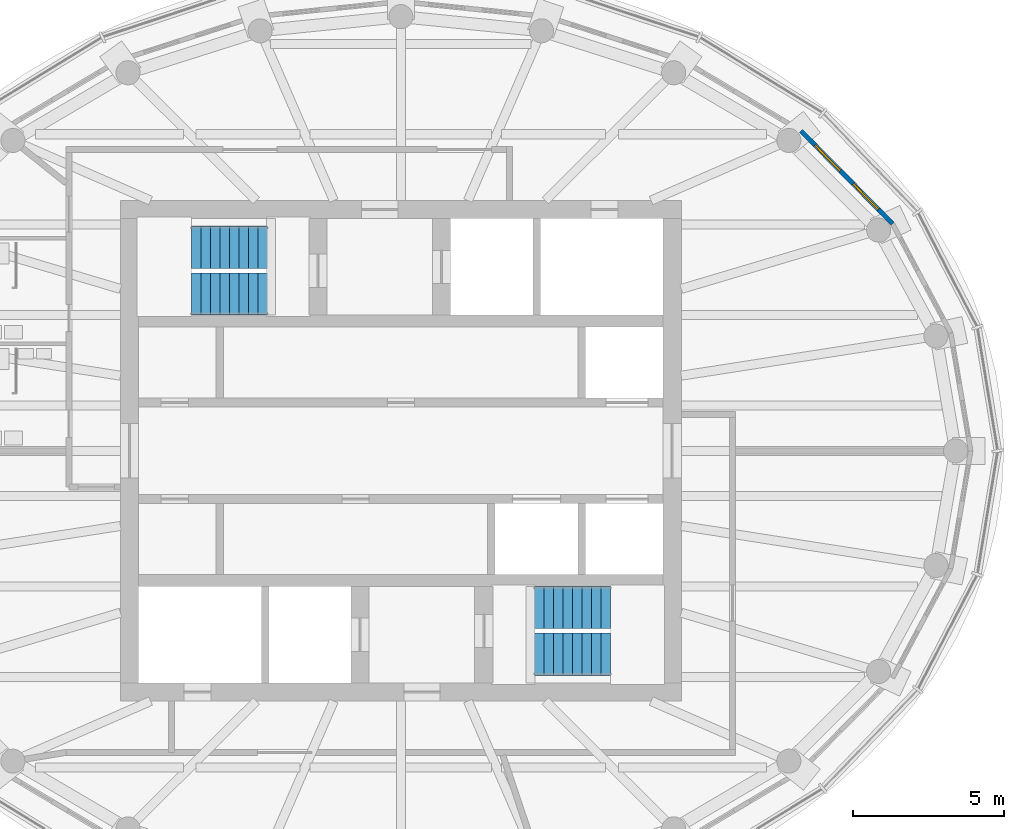
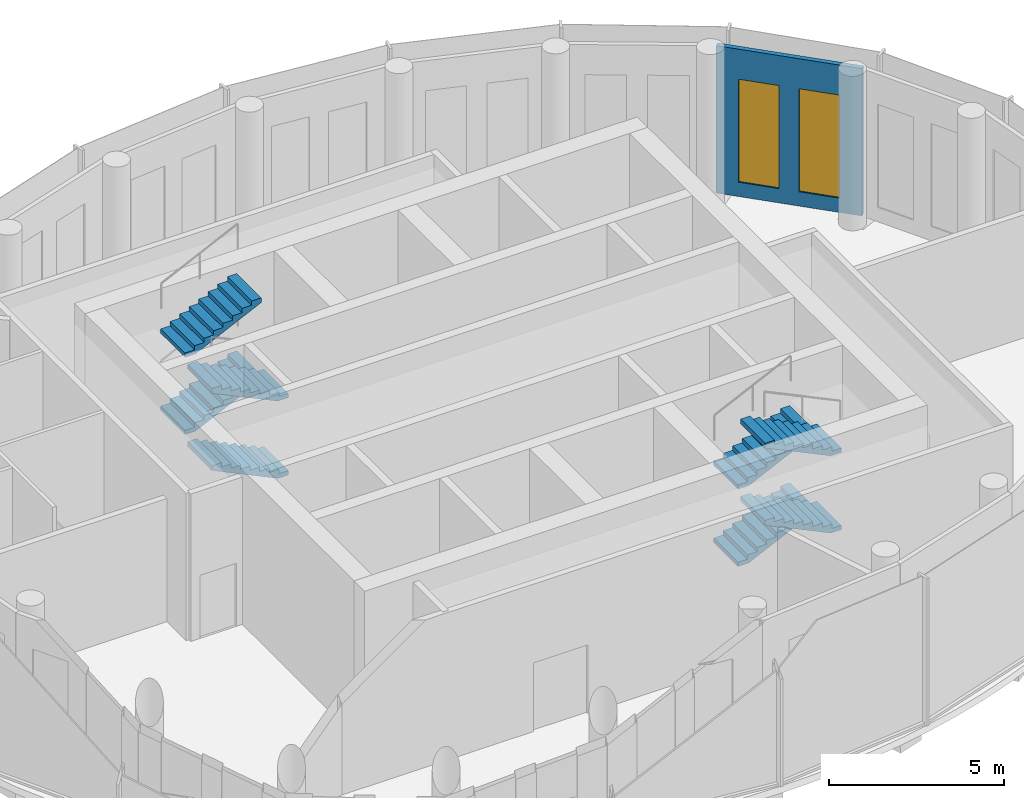
# One storey, part 8 of 11: 8 stair flights, 2 windows, 1 wall, 2 openings, 2 elements without a shape of their own.
"""IFC4 building model written with IfcOpenShell, lengths in metres."""

from ifc_helpers import new_model, si_unit, direction, frame, frame_2d, origin, place, context, subcontext, project, spatial, polyline, rectangle, outline, extrude, material, layer, layer_set, type_object, element, fill, aggregate, save


model = new_model("IFC4")

# Units and contexts
model_context = context("Model", 3, precision=1e-05, world=origin(), true_north=direction((0.0, 1.0)))
body_context = subcontext(model_context, "Body", "Model", "MODEL_VIEW")
ifc_project = project(units=[si_unit("LENGTHUNIT", "METRE"), si_unit("AREAUNIT", "SQUARE_METRE"), si_unit("VOLUMEUNIT", "CUBIC_METRE"), si_unit("PLANEANGLEUNIT", "RADIAN"), si_unit("MASSUNIT", "GRAM", prefix="KILO")], contexts=[model_context])

# Site, building, storey
site_placement = place(None, origin())
site = spatial("IfcSite", under=ifc_project, at=site_placement, CompositionType="ELEMENT")
building_placement = place(site_placement, origin())
building = spatial("IfcBuilding", under=site, at=building_placement, Name="Hankou Lantern Tower", CompositionType="ELEMENT")
storey_placement = place(building_placement, frame((0.0, 0.0, 237.300048828125)))
storey = spatial("IfcBuildingStorey", under=building, at=storey_placement, Name="L64", CompositionType="ELEMENT", Elevation=237.300048828125)

# Wall, openings, windows
ifc_material_1 = material(Name="Aluminium spandrel panel on steel studs", Category="steel")
ifc_layer = layer(ifc_material_1, 0.14990234375)
ifc_layer_set = layer_set([ifc_layer], Name="Aluminium spandrel panel on steel studs")
wall_type = type_object("IfcWallType", Name="EW1 INNER SKIN WALL 150", PredefinedType="ELEMENTEDWALL", material=ifc_layer_set)
wall_placement = place(storey_placement, frame((16.307373046875, 7.531982421875, 0.0), z_axis=(0.0, 0.0, 1.0), x_axis=(-0.702523956258, 0.711660095048, 0.0)))
wall = element("IfcWall", 1, at=wall_placement, inside=storey, type_object=wall_type, Name="Inner skin R03-R04 L64", PredefinedType="ELEMENTEDWALL", context=body_context, shape_type="SweptSolid", body=[
    extrude(rectangle(XDim=4.3291015625, YDim=0.14990234375, at=frame_2d((2.16455078125, 0.0))), origin(), (0.0, 0.0, 1.0), 5.14990234375),
])
opening_1_placement = place(wall_placement, frame((0.66455078125, 0.0, 0.5)))
opening_1 = element("IfcOpeningElement", 2, at=opening_1_placement, cuts=wall, Name="Opening W7", PredefinedType="OPENING", context=body_context, shape_type="SweptSolid", body=[
    extrude(rectangle(XDim=1.199951171875, YDim=3.60009765625, at=frame_2d((0.60009765625, 1.800048828125))), frame((0.0, 0.0849609375, 0.0), z_axis=(0.0, -1.0, 0.0), x_axis=(1.0, 0.0, 0.0)), (0.0, 0.0, 1.0), 0.169921875),
])
opening_2_placement = place(wall_placement, frame((2.464599609375, 0.0, 0.5)))
opening_2 = element("IfcOpeningElement", 3, at=opening_2_placement, cuts=wall, Name="Opening W7", PredefinedType="OPENING", context=body_context, shape_type="SweptSolid", body=[
    extrude(rectangle(XDim=1.199951171875, YDim=3.60009765625, at=frame_2d((0.60009765625, 1.800048828125))), frame((0.0, 0.0849609375, 0.0), z_axis=(0.0, -1.0, 0.0), x_axis=(1.0, 0.0, 0.0)), (0.0, 0.0, 1.0), 0.169921875),
])
ifc_material_2 = material(Name="Aluminium framed double glazed window", Category="aluminium")
window_type = type_object("IfcWindowType", Name="W7 RESTAURANT WINDOW 1200X3600", PartitioningType="DOUBLE_PANEL_VERTICAL", PredefinedType="WINDOW", material=ifc_material_2)
window_1_placement = place(opening_1_placement, origin())
window_1 = element("IfcWindow", 4, at=window_1_placement, inside=storey, type_object=window_type, Name="Window R03.1 L64", OverallHeight=3.60009765625, OverallWidth=1.199951171875, PartitioningType="SINGLE_PANEL", PredefinedType="WINDOW", context=body_context, shape_type="SweptSolid", body=[
    extrude(rectangle(XDim=1.199951171875, YDim=3.60009765625, at=frame_2d((0.60009765625, 1.800048828125))), frame((0.0, 0.030029296875, 0.0), z_axis=(0.0, -1.0, 0.0), x_axis=(1.0, 0.0, 0.0)), (0.0, 0.0, 1.0), 0.06005859375),
])
fill(opening_1, window_1)
window_2_placement = place(opening_2_placement, origin())
window_2 = element("IfcWindow", 5, at=window_2_placement, inside=storey, type_object=window_type, Name="Window R03.2 L64", OverallHeight=3.60009765625, OverallWidth=1.199951171875, PartitioningType="SINGLE_PANEL", PredefinedType="WINDOW", context=body_context, shape_type="SweptSolid", body=[
    extrude(rectangle(XDim=1.199951171875, YDim=3.60009765625, at=frame_2d((0.60009765625, 1.800048828125))), frame((0.0, 0.030029296875, 0.0), z_axis=(0.0, -1.0, 0.0), x_axis=(1.0, 0.0, 0.0)), (0.0, 0.0, 1.0), 0.06005859375),
])
fill(opening_2, window_2)

# Stair, stair flights
ifc_material_3 = material(Name="Concrete C40", Category="concrete")
stair_type = type_object("IfcStairType", Name="ST54 CORE STAIR 5400 RISE", PredefinedType="HALF_TURN_STAIR", material=ifc_material_3)
stair_1_placement = place(storey_placement, origin())
stair_1 = element("IfcStair", 6, at=stair_1_placement, inside=storey, type_object=stair_type, Name="Stair STA L64", PredefinedType="HALF_TURN_STAIR")
ifc_material_4 = material(Name="Concrete C40", Category="concrete")
stair_flight_type = type_object("IfcStairFlightType", Name="CF9 CORE STAIR FLIGHT 1400 X 9 RISERS", PredefinedType="STRAIGHT", material=ifc_material_4)
stair_flight_1_placement = place(storey_placement, frame((-4.429931640625, 5.199951171875, 0.0), z_axis=(0.0, 0.0, 1.0), x_axis=(-1.0, 0.0, 0.0)))
stair_flight_1 = element("IfcStairFlight", 7, at=stair_flight_1_placement, type_object=stair_flight_type, Name="STA flight 1", NumberOfRisers=9, NumberOfTreads=8, PredefinedType="STRAIGHT", RiserHeight=0.15, TreadLength=0.315, context=body_context, shape_type="SweptSolid", body=[
    extrude(outline(polyline([(0.0, 0.0), (0.0, 0.14990234375), (0.31494140625, 0.14990234375), (0.31494140625, 0.300048828125), (0.6298828125, 0.300048828125), (0.6298828125, 0.449951171875), (0.945068359375, 0.449951171875), (0.945068359375, 0.60009765625), (1.260009765625, 0.60009765625), (1.260009765625, 0.75), (1.574951171875, 0.75), (1.574951171875, 0.89990234375), (1.889892578125, 0.89990234375), (1.889892578125, 1.050048828125), (2.205078125, 1.050048828125), (2.205078125, 1.199951171875), (2.52001953125, 1.199951171875), (2.52001953125, 1.35009765625), (2.52001953125, 1.033935546875), (0.3486328125, 0.0), (0.0, 0.0)])), frame((0.0, 0.699951171875, 0.0), z_axis=(0.0, -1.0, 0.0), x_axis=(1.0, 0.0, 0.0)), (0.0, 0.0, 1.0), 1.39990234375),
])
stair_flight_2_placement = place(storey_placement, frame((-6.949951171875, 6.75, 1.349853515625), z_axis=(0.0, 0.0, 1.0), x_axis=(1.0, 0.0, 0.0)))
stair_flight_2 = element("IfcStairFlight", 8, at=stair_flight_2_placement, type_object=stair_flight_type, Name="STA flight 2", NumberOfRisers=9, NumberOfTreads=8, PredefinedType="STRAIGHT", RiserHeight=0.15, TreadLength=0.315, context=body_context, shape_type="SweptSolid", body=[
    extrude(outline(polyline([(0.0, 0.0), (0.0, 0.14990234375), (0.31494140625, 0.14990234375), (0.31494140625, 0.300048828125), (0.6298828125, 0.300048828125), (0.6298828125, 0.449951171875), (0.945068359375, 0.449951171875), (0.945068359375, 0.60009765625), (1.260009765625, 0.60009765625), (1.260009765625, 0.75), (1.574951171875, 0.75), (1.574951171875, 0.89990234375), (1.889892578125, 0.89990234375), (1.889892578125, 1.050048828125), (2.205078125, 1.050048828125), (2.205078125, 1.199951171875), (2.52001953125, 1.199951171875), (2.52001953125, 1.35009765625), (2.52001953125, 1.033935546875), (0.3486328125, 0.0), (0.0, 0.0)])), frame((0.0, 0.699951171875, 0.0), z_axis=(0.0, -1.0, 0.0), x_axis=(1.0, 0.0, 0.0)), (0.0, 0.0, 1.0), 1.39990234375),
])
stair_flight_3_placement = place(storey_placement, frame((-4.429931640625, 5.199951171875, 2.699951171875), z_axis=(0.0, 0.0, 1.0), x_axis=(-1.0, 0.0, 0.0)))
stair_flight_3 = element("IfcStairFlight", 9, at=stair_flight_3_placement, type_object=stair_flight_type, Name="STA flight 3", NumberOfRisers=9, NumberOfTreads=8, PredefinedType="STRAIGHT", RiserHeight=0.15, TreadLength=0.315, context=body_context, shape_type="SweptSolid", body=[
    extrude(outline(polyline([(0.0, 0.0), (0.0, 0.14990234375), (0.31494140625, 0.14990234375), (0.31494140625, 0.300048828125), (0.6298828125, 0.300048828125), (0.6298828125, 0.449951171875), (0.945068359375, 0.449951171875), (0.945068359375, 0.60009765625), (1.260009765625, 0.60009765625), (1.260009765625, 0.75), (1.574951171875, 0.75), (1.574951171875, 0.89990234375), (1.889892578125, 0.89990234375), (1.889892578125, 1.050048828125), (2.205078125, 1.050048828125), (2.205078125, 1.199951171875), (2.52001953125, 1.199951171875), (2.52001953125, 1.35009765625), (2.52001953125, 1.033935546875), (0.3486328125, 0.0), (0.0, 0.0)])), frame((0.0, 0.699951171875, 0.0), z_axis=(0.0, -1.0, 0.0), x_axis=(1.0, 0.0, 0.0)), (0.0, 0.0, 1.0), 1.39990234375),
])
stair_flight_4_placement = place(storey_placement, frame((-6.949951171875, 6.75, 4.050048828125), z_axis=(0.0, 0.0, 1.0), x_axis=(1.0, 0.0, 0.0)))
stair_flight_4 = element("IfcStairFlight", 10, at=stair_flight_4_placement, type_object=stair_flight_type, Name="STA flight 4", NumberOfRisers=9, NumberOfTreads=8, PredefinedType="STRAIGHT", RiserHeight=0.15, TreadLength=0.315, context=body_context, shape_type="SweptSolid", body=[
    extrude(outline(polyline([(0.0, 0.0), (0.0, 0.14990234375), (0.31494140625, 0.14990234375), (0.31494140625, 0.300048828125), (0.6298828125, 0.300048828125), (0.6298828125, 0.449951171875), (0.945068359375, 0.449951171875), (0.945068359375, 0.60009765625), (1.260009765625, 0.60009765625), (1.260009765625, 0.75), (1.574951171875, 0.75), (1.574951171875, 0.89990234375), (1.889892578125, 0.89990234375), (1.889892578125, 1.050048828125), (2.205078125, 1.050048828125), (2.205078125, 1.199951171875), (2.52001953125, 1.199951171875), (2.52001953125, 1.35009765625), (2.52001953125, 1.033935546875), (0.3486328125, 0.0), (0.0, 0.0)])), frame((0.0, 0.699951171875, 0.0), z_axis=(0.0, -1.0, 0.0), x_axis=(1.0, 0.0, 0.0)), (0.0, 0.0, 1.0), 1.39990234375),
])
aggregate(stair_1, [stair_flight_1, stair_flight_2, stair_flight_3, stair_flight_4])

stair_2_placement = place(storey_placement, origin())
stair_2 = element("IfcStair", 11, at=stair_2_placement, inside=storey, type_object=stair_type, Name="Stair STB L64", PredefinedType="HALF_TURN_STAIR")
stair_flight_5_placement = place(storey_placement, frame((4.429931640625, -5.199951171875, 0.0), z_axis=(0.0, 0.0, 1.0), x_axis=(1.0, 0.0, 0.0)))
stair_flight_5 = element("IfcStairFlight", 12, at=stair_flight_5_placement, type_object=stair_flight_type, Name="STB flight 1", NumberOfRisers=9, NumberOfTreads=8, PredefinedType="STRAIGHT", RiserHeight=0.15, TreadLength=0.315, context=body_context, shape_type="SweptSolid", body=[
    extrude(outline(polyline([(0.0, 0.0), (0.0, 0.14990234375), (0.31494140625, 0.14990234375), (0.31494140625, 0.300048828125), (0.6298828125, 0.300048828125), (0.6298828125, 0.449951171875), (0.945068359375, 0.449951171875), (0.945068359375, 0.60009765625), (1.260009765625, 0.60009765625), (1.260009765625, 0.75), (1.574951171875, 0.75), (1.574951171875, 0.89990234375), (1.889892578125, 0.89990234375), (1.889892578125, 1.050048828125), (2.205078125, 1.050048828125), (2.205078125, 1.199951171875), (2.52001953125, 1.199951171875), (2.52001953125, 1.35009765625), (2.52001953125, 1.033935546875), (0.3486328125, 0.0), (0.0, 0.0)])), frame((0.0, 0.699951171875, 0.0), z_axis=(0.0, -1.0, 0.0), x_axis=(1.0, 0.0, 0.0)), (0.0, 0.0, 1.0), 1.39990234375),
])
stair_flight_6_placement = place(storey_placement, frame((6.949951171875, -6.75, 1.349853515625), z_axis=(0.0, 0.0, 1.0), x_axis=(-1.0, 0.0, 0.0)))
stair_flight_6 = element("IfcStairFlight", 13, at=stair_flight_6_placement, type_object=stair_flight_type, Name="STB flight 2", NumberOfRisers=9, NumberOfTreads=8, PredefinedType="STRAIGHT", RiserHeight=0.15, TreadLength=0.315, context=body_context, shape_type="SweptSolid", body=[
    extrude(outline(polyline([(0.0, 0.0), (0.0, 0.14990234375), (0.31494140625, 0.14990234375), (0.31494140625, 0.300048828125), (0.6298828125, 0.300048828125), (0.6298828125, 0.449951171875), (0.945068359375, 0.449951171875), (0.945068359375, 0.60009765625), (1.260009765625, 0.60009765625), (1.260009765625, 0.75), (1.574951171875, 0.75), (1.574951171875, 0.89990234375), (1.889892578125, 0.89990234375), (1.889892578125, 1.050048828125), (2.205078125, 1.050048828125), (2.205078125, 1.199951171875), (2.52001953125, 1.199951171875), (2.52001953125, 1.35009765625), (2.52001953125, 1.033935546875), (0.3486328125, 0.0), (0.0, 0.0)])), frame((0.0, 0.699951171875, 0.0), z_axis=(0.0, -1.0, 0.0), x_axis=(1.0, 0.0, 0.0)), (0.0, 0.0, 1.0), 1.39990234375),
])
stair_flight_7_placement = place(storey_placement, frame((4.429931640625, -5.199951171875, 2.699951171875), z_axis=(0.0, 0.0, 1.0), x_axis=(1.0, 0.0, 0.0)))
stair_flight_7 = element("IfcStairFlight", 14, at=stair_flight_7_placement, type_object=stair_flight_type, Name="STB flight 3", NumberOfRisers=9, NumberOfTreads=8, PredefinedType="STRAIGHT", RiserHeight=0.15, TreadLength=0.315, context=body_context, shape_type="SweptSolid", body=[
    extrude(outline(polyline([(0.0, 0.0), (0.0, 0.14990234375), (0.31494140625, 0.14990234375), (0.31494140625, 0.300048828125), (0.6298828125, 0.300048828125), (0.6298828125, 0.449951171875), (0.945068359375, 0.449951171875), (0.945068359375, 0.60009765625), (1.260009765625, 0.60009765625), (1.260009765625, 0.75), (1.574951171875, 0.75), (1.574951171875, 0.89990234375), (1.889892578125, 0.89990234375), (1.889892578125, 1.050048828125), (2.205078125, 1.050048828125), (2.205078125, 1.199951171875), (2.52001953125, 1.199951171875), (2.52001953125, 1.35009765625), (2.52001953125, 1.033935546875), (0.3486328125, 0.0), (0.0, 0.0)])), frame((0.0, 0.699951171875, 0.0), z_axis=(0.0, -1.0, 0.0), x_axis=(1.0, 0.0, 0.0)), (0.0, 0.0, 1.0), 1.39990234375),
])
stair_flight_8_placement = place(storey_placement, frame((6.949951171875, -6.75, 4.050048828125), z_axis=(0.0, 0.0, 1.0), x_axis=(-1.0, 0.0, 0.0)))
stair_flight_8 = element("IfcStairFlight", 15, at=stair_flight_8_placement, type_object=stair_flight_type, Name="STB flight 4", NumberOfRisers=9, NumberOfTreads=8, PredefinedType="STRAIGHT", RiserHeight=0.15, TreadLength=0.315, context=body_context, shape_type="SweptSolid", body=[
    extrude(outline(polyline([(0.0, 0.0), (0.0, 0.14990234375), (0.31494140625, 0.14990234375), (0.31494140625, 0.300048828125), (0.6298828125, 0.300048828125), (0.6298828125, 0.449951171875), (0.945068359375, 0.449951171875), (0.945068359375, 0.60009765625), (1.260009765625, 0.60009765625), (1.260009765625, 0.75), (1.574951171875, 0.75), (1.574951171875, 0.89990234375), (1.889892578125, 0.89990234375), (1.889892578125, 1.050048828125), (2.205078125, 1.050048828125), (2.205078125, 1.199951171875), (2.52001953125, 1.199951171875), (2.52001953125, 1.35009765625), (2.52001953125, 1.033935546875), (0.3486328125, 0.0), (0.0, 0.0)])), frame((0.0, 0.699951171875, 0.0), z_axis=(0.0, -1.0, 0.0), x_axis=(1.0, 0.0, 0.0)), (0.0, 0.0, 1.0), 1.39990234375),
])
aggregate(stair_2, [stair_flight_5, stair_flight_6, stair_flight_7, stair_flight_8])

save(model, "model.ifc")
